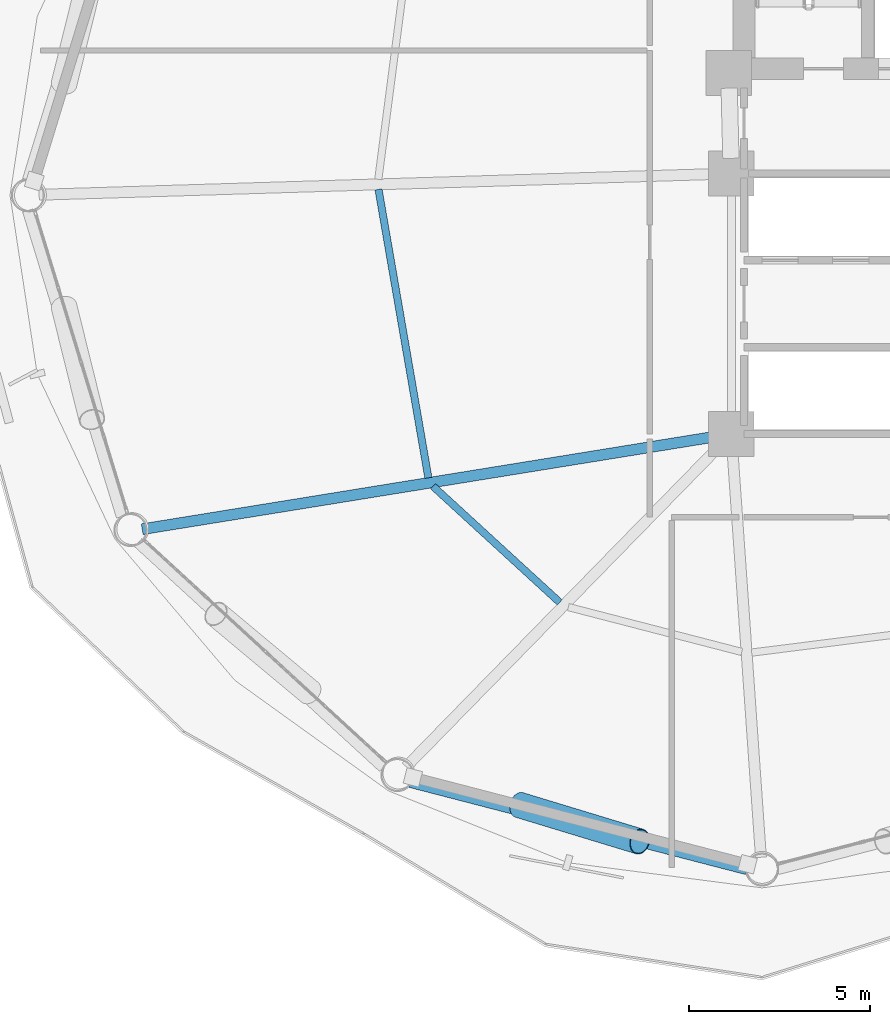
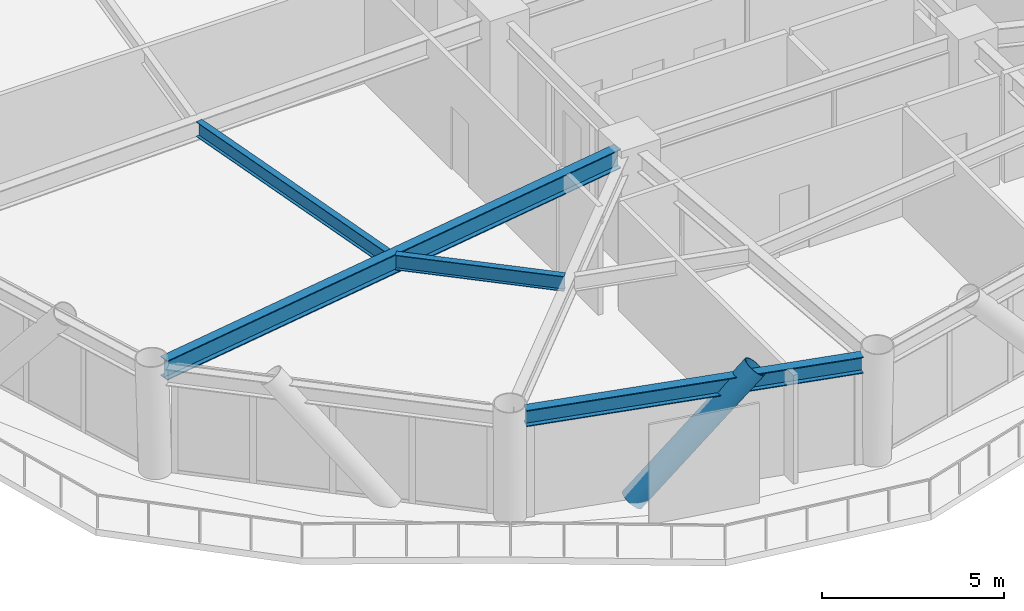
# One storey, part 5 of 23: 4 beams, 1 member.
"""IFC4 building model written with IfcOpenShell, lengths in metres."""

from ifc_helpers import new_model, si_unit, direction, frame, origin, origin_2d, place, context, subcontext, project, spatial, hollow_circle, i_section, extrude, material, material_profile, profile_set, type_object, element, save


model = new_model("IFC4")

# Units and contexts
model_context = context("Model", 3, precision=1e-05, world=origin(), true_north=direction((0.0, 1.0)))
body_context = subcontext(model_context, "Body", "Model", "MODEL_VIEW")
ifc_project = project(units=[si_unit("LENGTHUNIT", "METRE"), si_unit("AREAUNIT", "SQUARE_METRE"), si_unit("VOLUMEUNIT", "CUBIC_METRE"), si_unit("PLANEANGLEUNIT", "RADIAN"), si_unit("MASSUNIT", "GRAM", prefix="KILO")], contexts=[model_context])

# Site, building, storey
site_placement = place(None, origin())
site = spatial("IfcSite", under=ifc_project, at=site_placement, CompositionType="ELEMENT")
building_placement = place(site_placement, origin())
building = spatial("IfcBuilding", under=site, at=building_placement, Name="Varnakorn Sky Granary", CompositionType="ELEMENT")
storey_placement = place(building_placement, frame((0.0, 0.0, 31.5)))
storey = spatial("IfcBuildingStorey", under=building, at=storey_placement, Name="L07", CompositionType="ELEMENT", Elevation=31.5)

# Beams
ifc_material_1 = material(Name="Steel S355JR", Category="steel")
ifc_material_profile_1 = material_profile(ifc_material_1, i_section(OverallWidth=0.300048828125, OverallDepth=0.64990234375, WebThickness=0.01611328125, FlangeThickness=0.031005859375, at=origin_2d()), Name="HE 650 B")
ifc_profile_set_1 = profile_set([ifc_material_profile_1], Name="Steel S355JR")
beam_type_1 = type_object("IfcBeamType", Name="BM-RAD-Z1", PredefinedType="BEAM", material=ifc_profile_set_1)
beam_1_placement = place(storey_placement, frame((-2.7646484375, -6.6669921875, 3.31494140625), z_axis=(-0.987184608923, -0.159582417282, 0.0), x_axis=(0.159582417282, -0.987184608923, 0.0)))
element("IfcBeam", 1, at=beam_1_placement, inside=storey, type_object=beam_type_1, Name="Radial Floor Girder RG08 L07", PredefinedType="BEAM", context=body_context, shape_type="SweptSolid", body=[
    extrude(i_section(OverallWidth=0.300048828125, OverallDepth=0.64990234375, WebThickness=0.01611328125, FlangeThickness=0.031005859375, at=origin_2d()), origin(), (0.0, 0.0, 1.0), 16.075927734375),
])
ifc_material_profile_2 = material_profile(ifc_material_1, i_section(OverallWidth=0.199951171875, OverallDepth=0.5, WebThickness=0.01025390625, FlangeThickness=0.01611328125, at=origin_2d()), Name="IPE 500")
ifc_profile_set_2 = profile_set([ifc_material_profile_2], Name="Steel S355JR")
beam_type_2 = type_object("IfcBeamType", Name="BM-SEC-Z1", PredefinedType="BEAM", material=ifc_profile_set_2)
beam_2_placement = place(storey_placement, frame((-12.10205078125, 0.162353515625, 3.389892578125), z_axis=(0.17036455482, -0.985381103158, 0.0), x_axis=(0.985381103158, 0.17036455482, 0.0)))
element("IfcBeam", 2, at=beam_2_placement, inside=storey, type_object=beam_type_2, Name="Secondary Floor Chord Beam MSB07 L07", PredefinedType="BEAM", context=body_context, shape_type="SweptSolid", body=[
    extrude(i_section(OverallWidth=0.199951171875, OverallDepth=0.5, WebThickness=0.01025390625, FlangeThickness=0.01611328125, at=origin_2d()), origin(), (0.0, 0.0, 1.0), 8.092529296875),
])
beam_3_placement = place(storey_placement, frame((-10.59619140625, -8.044189453125, 3.389892578125), z_axis=(0.737311945858, -0.675552436525, 0.0), x_axis=(0.675552436525, 0.737311945858, 0.0)))
element("IfcBeam", 3, at=beam_3_placement, inside=storey, type_object=beam_type_2, Name="Secondary Floor Chord Beam MSB08 L07", PredefinedType="BEAM", context=body_context, shape_type="SweptSolid", body=[
    extrude(i_section(OverallWidth=0.199951171875, OverallDepth=0.5, WebThickness=0.01025390625, FlangeThickness=0.01611328125, at=origin_2d()), origin(), (0.0, 0.0, 1.0), 4.751708984375),
])
ifc_material_profile_3 = material_profile(ifc_material_1, i_section(OverallWidth=0.300048828125, OverallDepth=0.550048828125, WebThickness=0.014892578125, FlangeThickness=0.029052734375, at=origin_2d()), Name="HE 550 B")
ifc_profile_set_3 = profile_set([ifc_material_profile_3], Name="Steel S355JR")
beam_type_3 = type_object("IfcBeamType", Name="BM-SPD-Z1", PredefinedType="SPANDREL", material=ifc_profile_set_3)
beam_4_placement = place(storey_placement, frame((-11.216552734375, -16.22412109375, 3.364990234375), z_axis=(0.968051132582, -0.250752875771, 0.0), x_axis=(0.250752875771, 0.968051132582, 0.0)))
element("IfcBeam", 4, at=beam_4_placement, inside=storey, type_object=beam_type_3, Name="Perimeter Spandrel Ring Beam RB09 L07", PredefinedType="SPANDREL", context=body_context, shape_type="SweptSolid", body=[
    extrude(i_section(OverallWidth=0.300048828125, OverallDepth=0.550048828125, WebThickness=0.014892578125, FlangeThickness=0.029052734375, at=origin_2d()), origin(), (0.0, 0.0, 1.0), 9.59521484375),
])

# Member
ifc_material_2 = material(Name="Steel S460M", Category="steel")
ifc_material_profile_4 = material_profile(ifc_material_2, hollow_circle(Radius=0.35546875, WallThickness=0.02490234375, at=origin_2d()), Name="CHS 711x25")
ifc_profile_set_4 = profile_set([ifc_material_profile_4], Name="Steel S460M")
member_type = type_object("IfcMemberType", Name="MB-DIAG-T0", PredefinedType="BRACE", material=ifc_profile_set_4)
member_placement = place(storey_placement, frame((-8.200927734375, -16.857177734375, -0.1298828125), z_axis=(0.634132730368, -0.192534562442, 0.748869896939), x_axis=(0.290523029144, 0.956868000059, 0.0)))
element("IfcMember", 5, at=member_placement, inside=storey, type_object=member_type, Name="Perimeter CHS Diagrid Brace DG09 L07", PredefinedType="BRACE", context=body_context, shape_type="SweptSolid", body=[
    extrude(hollow_circle(Radius=0.35546875, WallThickness=0.02490234375, at=origin_2d()), origin(), (0.0, 0.0, 1.0), 5.234375),
])

save(model, "model.ifc")
